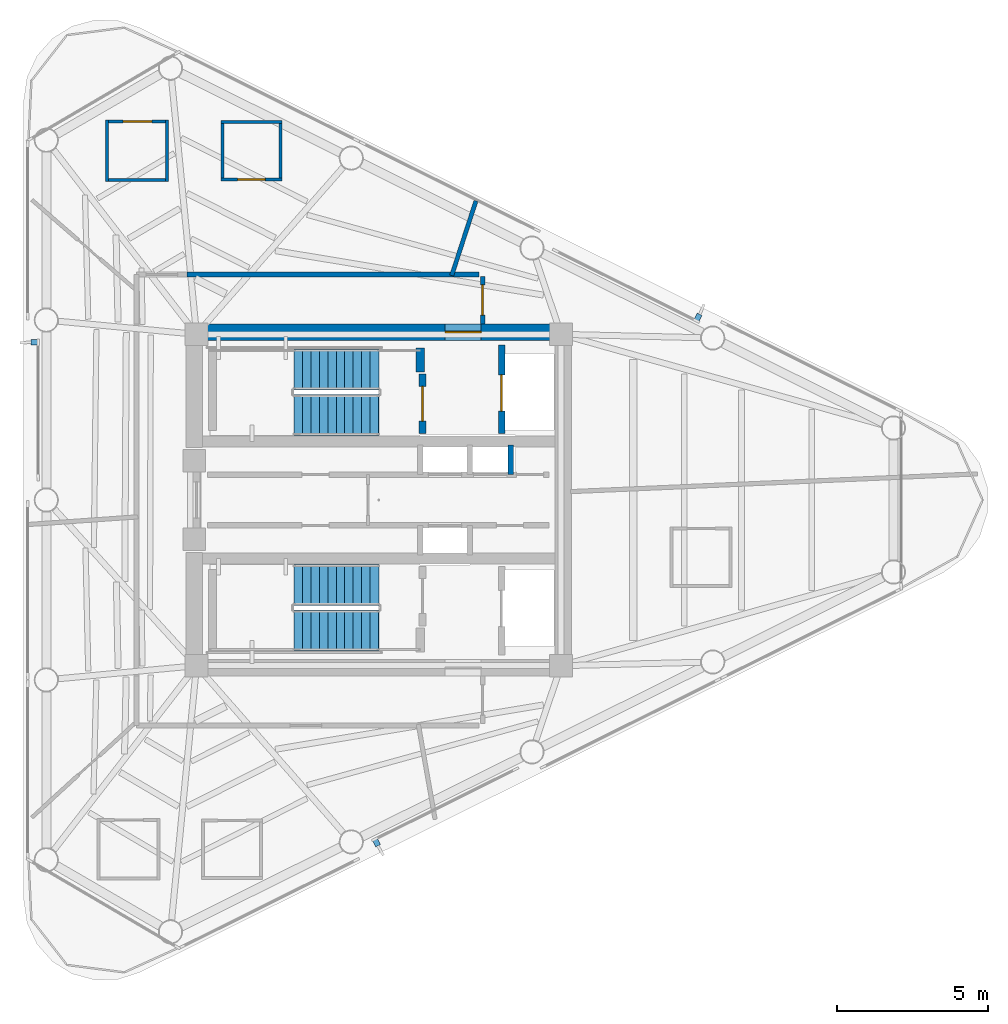
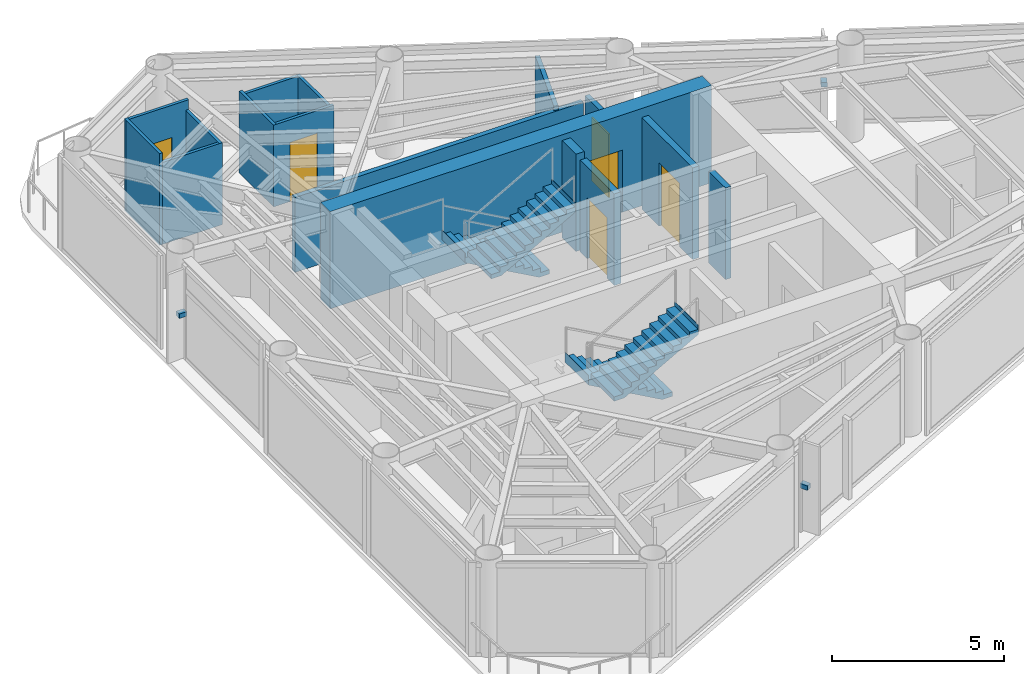
# One storey, part 6 of 10: 16 walls, 6 doors, 4 stair flights, 3 discrete accessories, 6 openings, 2 elements without a shape of their own.
"""IFC4 building model written with IfcOpenShell, lengths in metres."""

import ifcopenshell
import ifcopenshell.guid

model = None  # the IFC model being written
_history = None  # IfcOwnerHistory: only IFC2X3 demands one
_inside = {}  # id of a spatial element -> (the spatial element, [elements in it])
_under = {}  # id of a project, library or spatial element -> (it, [spatial elements below it])
_declared = {}  # id of a project -> (the project, [libraries it declares])
_typed = {}  # id of a type object -> (the type object, [elements of that type])
_made_of = {}  # id of a material, layer set ... -> (it, [elements and type objects made of it])


def new_model(schema):
    """Start an empty IFC model of exactly this schema.

    Asked for "IFC4X3", IfcOpenShell would pick the latest addendum, in which some entities
    have other attributes; the version numbers below select the first issue.
    IFC2X3 requires an IfcOwnerHistory on every rooted entity: one is made here for all.
    """
    global model, _history
    if schema == "IFC4X3":
        model = ifcopenshell.file(schema_version=(4, 3, 0, 0))
    else:
        model = ifcopenshell.file(schema=schema)
    _inside.clear()
    _under.clear()
    _declared.clear()
    _typed.clear()
    _made_of.clear()
    _history = None
    if model.schema == "IFC2X3":
        org = make("IfcOrganization", Name="unknown")
        user = make(
            "IfcPersonAndOrganization",
            ThePerson=make("IfcPerson", FamilyName="unknown"),
            TheOrganization=org,
        )
        app = make(
            "IfcApplication",
            ApplicationDeveloper=org,
            Version="unknown",
            ApplicationFullName="unknown",
            ApplicationIdentifier="unknown",
        )
        _history = make(
            "IfcOwnerHistory",
            OwningUser=user,
            OwningApplication=app,
            ChangeAction="ADDED",
            CreationDate=0,
        )
    return model


def make(cls, **values):
    """One entity of the class cls with the attributes given. An attribute that is None is left unset."""
    return model.create_entity(
        cls, **{name: value for name, value in values.items() if value is not None}
    )


def rooted(cls, **values):
    """An entity with a GlobalId (a new one), such as an element, a storey or a relation."""
    return make(cls, GlobalId=ifcopenshell.guid.new(), OwnerHistory=_history, **values)


def si_unit(unit_type, name, prefix=None):
    """IfcSIUnit, for example si_unit("LENGTHUNIT", "METRE", prefix="MILLI")."""
    return make("IfcSIUnit", UnitType=unit_type, Prefix=prefix, Name=name)


def assignment(units):
    """IfcUnitAssignment: the units of a project."""
    return None if units is None else make("IfcUnitAssignment", Units=units)


def point(xyz):
    """IfcCartesianPoint."""
    return None if xyz is None else make("IfcCartesianPoint", Coordinates=xyz)


def direction(xyz):
    """IfcDirection."""
    return None if xyz is None else make("IfcDirection", DirectionRatios=xyz)


def frame(location, z_axis=None, x_axis=None):
    """IfcAxis2Placement3D, a coordinate frame: its origin and axes. An axis left out is left unset."""
    return make(
        "IfcAxis2Placement3D",
        Location=point(location),
        Axis=direction(z_axis),
        RefDirection=direction(x_axis),
    )


def frame_2d(location, x_axis=None):
    """IfcAxis2Placement2D, a coordinate frame in the plane: its origin and x axis."""
    return make(
        "IfcAxis2Placement2D", Location=point(location), RefDirection=direction(x_axis)
    )


def origin():
    """The frame at (0, 0, 0) with its axes left unset."""
    return frame((0.0, 0.0, 0.0))


def origin_2d():
    """The frame at (0, 0) in the plane with its x axis left unset."""
    return frame_2d((0.0, 0.0))


def place(relative_to, where):
    """IfcLocalPlacement: puts the frame where relative to a parent placement (None: the world)."""
    return make(
        "IfcLocalPlacement", PlacementRelTo=relative_to, RelativePlacement=where
    )


def context(
    kind, dimensions, precision=None, world=None, true_north=None, identifier=None
):
    """IfcGeometricRepresentationContext, for example the 3D "Model" context."""
    return make(
        "IfcGeometricRepresentationContext",
        ContextIdentifier=identifier,
        ContextType=kind,
        CoordinateSpaceDimension=dimensions,
        Precision=precision,
        WorldCoordinateSystem=world,
        TrueNorth=true_north,
    )


def subcontext(parent, identifier, kind, view, scale=None):
    """IfcGeometricRepresentationSubContext, for example "Body" below "Model"."""
    return make(
        "IfcGeometricRepresentationSubContext",
        ContextIdentifier=identifier,
        ContextType=kind,
        ParentContext=parent,
        TargetScale=scale,
        TargetView=view,
    )


def project(units=None, contexts=None):
    """IfcProject with its units and contexts."""
    return rooted(
        "IfcProject",
        Name="project",
        RepresentationContexts=contexts,
        UnitsInContext=assignment(units),
    )


def spatial(cls, under=None, at=None, **own):
    """A site, building, storey or space (cls), placed at a placement, below another one or the project."""
    s = rooted(cls, ObjectPlacement=at, **own)
    if under is not None:
        _under.setdefault(under.id(), (under, []))[1].append(s)
    return s


def polyline(points):
    """IfcPolyline through the points."""
    return make("IfcPolyline", Points=[point(p) for p in points])


def profile(cls, at=None, kind="AREA", **sizes):
    """A parametric profile (cls). Its sizes go by their IFC names, for example OverallWidth=200.0."""
    return make(cls, ProfileType=kind, Position=at, **sizes)


def rectangle(**sizes):
    """IfcRectangleProfileDef."""
    return profile("IfcRectangleProfileDef", **sizes)


def outline(outer, holes=None, kind="AREA"):
    """IfcArbitraryClosedProfileDef: a profile drawn as a closed curve; with holes, ...WithVoids."""
    if holes is None:
        return make("IfcArbitraryClosedProfileDef", ProfileType=kind, OuterCurve=outer)
    return make(
        "IfcArbitraryProfileDefWithVoids",
        ProfileType=kind,
        OuterCurve=outer,
        InnerCurves=holes,
    )


def extrude(swept, where, along, depth):
    """IfcExtrudedAreaSolid: the profile swept, set in the frame where, extruded along a direction by depth."""
    return make(
        "IfcExtrudedAreaSolid",
        SweptArea=swept,
        Position=where,
        ExtrudedDirection=direction(along),
        Depth=depth,
    )


def shape(context_of_items, identifier, shape_type, items):
    """IfcShapeRepresentation: the items that make up one representation, for example the "Body"."""
    return make(
        "IfcShapeRepresentation",
        ContextOfItems=context_of_items,
        RepresentationIdentifier=identifier,
        RepresentationType=shape_type,
        Items=items,
    )


def source(mapping_origin, context_of_items, identifier, shape_type, items):
    """IfcRepresentationMap: a shape defined once, which mapped items show again and again."""
    return make(
        "IfcRepresentationMap",
        MappingOrigin=mapping_origin,
        MappedRepresentation=shape(context_of_items, identifier, shape_type, items),
    )


def transform(
    local_origin,
    x_axis=None,
    y_axis=None,
    z_axis=None,
    scale=None,
    scale2=None,
    scale3=None,
    uniform=True,
):
    """IfcCartesianTransformationOperator3D, or its non-uniform kind. x_axis, y_axis, z_axis: its Axis1, 2, 3."""
    if uniform:
        return make(
            "IfcCartesianTransformationOperator3D",
            Axis1=direction(x_axis),
            Axis2=direction(y_axis),
            LocalOrigin=point(local_origin),
            Scale=scale,
            Axis3=direction(z_axis),
        )
    return make(
        "IfcCartesianTransformationOperator3DnonUniform",
        Axis1=direction(x_axis),
        Axis2=direction(y_axis),
        LocalOrigin=point(local_origin),
        Scale=scale,
        Axis3=direction(z_axis),
        Scale2=scale2,
        Scale3=scale3,
    )


def mapped(mapping_source, mapping_target):
    """IfcMappedItem: shows the shape of a source again, moved by a transform."""
    return make(
        "IfcMappedItem", MappingSource=mapping_source, MappingTarget=mapping_target
    )


def material(Name=None, Category=None):
    """IfcMaterial."""
    return make("IfcMaterial", Name=Name, Category=Category)


def layer(
    of_material, thickness, ventilated=None, Name=None, Category=None, Priority=None
):
    """IfcMaterialLayer: one layer of a wall or slab, of a material (None: an air gap)."""
    return make(
        "IfcMaterialLayer",
        Material=of_material,
        LayerThickness=thickness,
        IsVentilated=ventilated,
        Name=Name,
        Category=Category,
        Priority=Priority,
    )


def layer_set(layers, Name=None):
    """IfcMaterialLayerSet."""
    return make("IfcMaterialLayerSet", MaterialLayers=layers, LayerSetName=Name)


def made_of(thing, what):
    """Note that an element or type object is made of a material, layer set ...; save() writes the relation."""
    if what is not None:
        _made_of.setdefault(what.id(), (what, []))[1].append(thing)
    return thing


def type_object(cls, material=None, **own):
    """A type object (cls), such as IfcWallType, which elements share."""
    return made_of(rooted(cls, **own), material)


def element(
    cls,
    number,
    at=None,
    inside=None,
    cuts=None,
    type_object=None,
    material=None,
    context=None,
    identifier="Body",
    shape_type=None,
    held_by="IfcProductDefinitionShape",
    body=None,
    shapes=None,
    **own,
):
    """One element of the class cls, such as IfcWall. Its Tag is "e" and its number.

    at: its placement. inside: the storey or other place that contains it. cuts: it is an
    opening in that element (IfcRelVoidsElement). A single representation is given by context,
    identifier, shape_type and body (its items); several are given by shapes. held_by: the class
    of the entity that holds the representations. save() writes the other relations.
    """
    e = rooted(cls, Tag="e%d" % number, ObjectPlacement=at, **own)
    if body is not None:
        shapes = [shape(context, identifier, shape_type, body)]
    if shapes is not None:
        e.Representation = make(held_by, Representations=shapes)
    if inside is not None:
        _inside.setdefault(inside.id(), (inside, []))[1].append(e)
    if cuts is not None:
        rooted(
            "IfcRelVoidsElement", RelatingBuildingElement=cuts, RelatedOpeningElement=e
        )
    if type_object is not None:
        _typed.setdefault(type_object.id(), (type_object, []))[1].append(e)
    return made_of(e, material)


def fill(opening, filler):
    """IfcRelFillsElement: the door or window that sits in an opening."""
    return rooted(
        "IfcRelFillsElement",
        RelatingOpeningElement=opening,
        RelatedBuildingElement=filler,
    )


def aggregate(whole, parts):
    """IfcRelAggregates: a whole, such as a stair, and the parts it consists of."""
    return rooted("IfcRelAggregates", RelatingObject=whole, RelatedObjects=parts)


def save(model, path):
    """Write the relations noted so far, then the file.

    IfcRelAggregates (storeys below a building ...), IfcRelContainedInSpatialStructure (elements
    in a storey), IfcRelDefinesByType, IfcRelAssociatesMaterial and IfcRelDeclares: one each for
    every whole, place, type object, material and project.
    """
    for whole, parts in _under.values():
        aggregate(whole, parts)
    for where, things in _inside.values():
        rooted(
            "IfcRelContainedInSpatialStructure",
            RelatedElements=things,
            RelatingStructure=where,
        )
    for kind, things in _typed.values():
        rooted("IfcRelDefinesByType", RelatedObjects=things, RelatingType=kind)
    for what, things in _made_of.values():
        rooted("IfcRelAssociatesMaterial", RelatedObjects=things, RelatingMaterial=what)
    for by, libraries in _declared.values():
        rooted("IfcRelDeclares", RelatingContext=by, RelatedDefinitions=libraries)
    model.write(path)


model = new_model("IFC4")

# Units and contexts
model_context = context("Model", 3, precision=1e-05, world=origin(), true_north=direction((0.0, 1.0)))
body_context = subcontext(model_context, "Body", "Model", "MODEL_VIEW")
ifc_project = project(units=[si_unit("LENGTHUNIT", "METRE"), si_unit("AREAUNIT", "SQUARE_METRE"), si_unit("VOLUMEUNIT", "CUBIC_METRE"), si_unit("PLANEANGLEUNIT", "RADIAN"), si_unit("MASSUNIT", "GRAM", prefix="KILO")], contexts=[model_context])

# Site, building, storey
site_placement = place(None, origin())
site = spatial("IfcSite", under=ifc_project, at=site_placement, CompositionType="ELEMENT")
building_placement = place(site_placement, origin())
building = spatial("IfcBuilding", under=site, at=building_placement, Name="Yunling Apex Tower", CompositionType="ELEMENT")
storey_placement = place(building_placement, frame((0.0, 0.0, 303.64990234375)))
storey = spatial("IfcBuildingStorey", under=building, at=storey_placement, Name="L74", CompositionType="ELEMENT", Elevation=303.64990234375)

# Wall, opening, door
ifc_material_1 = material(Name="Concrete C40", Category="concrete")
ifc_layer_1 = layer(ifc_material_1, 0.550048828125)
ifc_layer_set_1 = layer_set([ifc_layer_1], Name="Concrete C40")
wall_type_1 = type_object("IfcWallType", Name="WL-COR-3", PredefinedType="SHEAR", material=ifc_layer_set_1)
wall_1_placement = place(storey_placement, frame((-6.39990234375, 5.574951171875, 0.0), z_axis=(0.0, 0.0, 1.0), x_axis=(1.0, 0.0, 0.0)))
wall_1 = element("IfcWall", 1, at=wall_1_placement, inside=storey, type_object=wall_type_1, Name="L74 North Core Shear Wall", PredefinedType="SHEAR", context=body_context, shape_type="SweptSolid", body=[
    extrude(rectangle(XDim=12.7998046875, YDim=0.550048828125, at=frame_2d((6.39990234375, 0.0))), origin(), (0.0, 0.0, 1.0), 3.4501953125),
])
opening_1_placement = place(wall_1_placement, frame((8.60009765625, 0.0, 0.0)))
opening_1 = element("IfcOpeningElement", 2, at=opening_1_placement, cuts=wall_1, Name="Opening DR-FFL-1", PredefinedType="OPENING", context=body_context, shape_type="SweptSolid", body=[
    extrude(rectangle(XDim=1.199951171875, YDim=2.199951171875, at=frame_2d((0.60009765625, 1.10009765625))), frame((0.0, 0.28515625, 0.0), z_axis=(0.0, -1.0, 0.0), x_axis=(1.0, 0.0, 0.0)), (0.0, 0.0, 1.0), 0.570068359375),
])
ifc_material_2 = material(Name="Steel Q355B", Category="steel")
door_type_1 = type_object("IfcDoorType", Name="DR-FFL-1", OperationType="NOTDEFINED", PredefinedType="DOOR", material=ifc_material_2)
door_1_placement = place(opening_1_placement, origin())
door_1 = element("IfcDoor", 3, at=door_1_placement, inside=storey, type_object=door_type_1, Name="L74 North Firefighting Lobby Door", OperationType="SINGLE_SWING_LEFT", OverallHeight=2.199951171875, OverallWidth=1.199951171875, PredefinedType="DOOR", context=body_context, shape_type="SweptSolid", body=[
    extrude(rectangle(XDim=1.199951171875, YDim=2.199951171875, at=frame_2d((0.60009765625, 1.10009765625))), frame((0.0, 0.02490234375, 0.0), z_axis=(0.0, -1.0, 0.0), x_axis=(1.0, 0.0, 0.0)), (0.0, 0.0, 1.0), 0.050048828125),
])
fill(opening_1, door_1)

# Walls
ifc_layer_2 = layer(ifc_material_1, 0.280029296875)
ifc_layer_set_2 = layer_set([ifc_layer_2], Name="Concrete C40")
wall_type_2 = type_object("IfcWallType", Name="WL-COR-8", PredefinedType="SHEAR", material=ifc_layer_set_2)
wall_2_placement = place(storey_placement, frame((1.3798828125, 4.25, 0.0), z_axis=(0.0, 0.0, 1.0), x_axis=(0.0, 1.0, 0.0)))
element("IfcWall", 4, at=wall_2_placement, inside=storey, type_object=wall_type_2, Name="L74 ST-1 East Landing Bearing Pier", PredefinedType="SHEAR", context=body_context, shape_type="SweptSolid", body=[
    extrude(rectangle(XDim=0.800048828125, YDim=0.280029296875, at=frame_2d((0.39990234375, 0.0))), origin(), (0.0, 0.0, 1.0), 3.4501953125),
])
ifc_material_3 = material(Name="Gypsum board acoustic partition")
ifc_layer_3 = layer(ifc_material_3, 0.159912109375)
ifc_layer_set_3 = layer_set([ifc_layer_3], Name="Gypsum board acoustic partition")
wall_type_3 = type_object("IfcWallType", Name="WL-PRT-1", PredefinedType="PARTITIONING", material=ifc_layer_set_3)
wall_3_placement = place(storey_placement, frame((-6.360107421875, 7.489990234375, 0.0), z_axis=(0.0, 0.0, 1.0), x_axis=(1.0, 0.0, 0.0)))
element("IfcWall", 5, at=wall_3_placement, inside=storey, type_object=wall_type_3, Name="WL-CORR-L74-03", PredefinedType="PARTITIONING", context=body_context, shape_type="SweptSolid", body=[
    extrude(rectangle(XDim=9.67919921875, YDim=0.159912109375, at=frame_2d((4.839599609375, 0.0))), origin(), (0.0, 0.0, 1.0), 2.655029296875),
])

# Wall, opening, door
wall_4_placement = place(storey_placement, frame((3.449951171875, 7.4248046875, 0.0), z_axis=(0.0, 0.0, 1.0), x_axis=(0.0, -1.0, 0.0)))
wall_4 = element("IfcWall", 6, at=wall_4_placement, inside=storey, type_object=wall_type_3, Name="WL-CORR-L74-04", PredefinedType="PARTITIONING", context=body_context, shape_type="SweptSolid", body=[
    extrude(rectangle(XDim=1.57470703125, YDim=0.159912109375, at=frame_2d((0.787353515625, 0.0))), origin(), (0.0, 0.0, 1.0), 2.85498046875),
])
opening_2_placement = place(wall_4_placement, frame((0.287353515625, 0.0, 0.0)))
opening_2 = element("IfcOpeningElement", 7, at=opening_2_placement, cuts=wall_4, Name="Opening DR-OFF-1", PredefinedType="OPENING", context=body_context, shape_type="SweptSolid", body=[
    extrude(rectangle(XDim=1.0, YDim=2.25, at=frame_2d((0.5, 1.125))), frame((0.0, 0.08984375, 0.0), z_axis=(0.0, -1.0, 0.0), x_axis=(1.0, 0.0, 0.0)), (0.0, 0.0, 1.0), 0.179931640625),
])
ifc_material_4 = material(Name="Bronze anodised aluminium", Category="aluminium")
door_type_2 = type_object("IfcDoorType", Name="DR-OFF-1", OperationType="NOTDEFINED", PredefinedType="DOOR", material=ifc_material_4)
door_2_placement = place(opening_2_placement, origin())
door_2 = element("IfcDoor", 8, at=door_2_placement, inside=storey, type_object=door_type_2, Name="L74 Residents Quiet Study Lounge Door", OperationType="SINGLE_SWING_RIGHT", OverallHeight=2.25, OverallWidth=1.0, PredefinedType="DOOR", context=body_context, shape_type="SweptSolid", body=[
    extrude(rectangle(XDim=1.0, YDim=2.25, at=frame_2d((0.5, 1.125))), frame((0.0, 0.02490234375, 0.0), z_axis=(0.0, -1.0, 0.0), x_axis=(1.0, 0.0, 0.0)), (0.0, 0.0, 1.0), 0.050048828125),
])
fill(opening_2, door_2)

# Walls
ifc_layer_4 = layer(ifc_material_3, 0.139892578125)
ifc_layer_set_4 = layer_set([ifc_layer_4], Name="Gypsum board acoustic partition")
wall_type_4 = type_object("IfcWallType", Name="WL-PRT-2", PredefinedType="PARTITIONING", material=ifc_layer_set_4)
wall_5_placement = place(storey_placement, frame((2.420654296875, 7.449951171875, 0.0), z_axis=(0.0, 0.0, 1.0), x_axis=(0.309047920595, 0.951046467201, 0.0)))
element("IfcWall", 9, at=wall_5_placement, inside=storey, type_object=wall_type_4, Name="WL-RAD-L74-02", PredefinedType="PARTITIONING", context=body_context, shape_type="SweptSolid", body=[
    extrude(rectangle(XDim=2.6044921875, YDim=0.139892578125, at=frame_2d((1.30224609375, 0.0))), origin(), (0.0, 0.0, 1.0), 2.815185546875),
])
ifc_layer_5 = layer(ifc_material_3, 0.10009765625)
ifc_layer_set_5 = layer_set([ifc_layer_5], Name="Gypsum board acoustic partition")
wall_type_5 = type_object("IfcWallType", Name="WL-PRT-4", PredefinedType="PARTITIONING", material=ifc_layer_set_5)
wall_6_placement = place(storey_placement, frame((-5.239013671875, 12.5400390625, 0.0), z_axis=(0.0, 0.0, 1.0), x_axis=(1.0, 0.0, 0.0)))
element("IfcWall", 10, at=wall_6_placement, inside=storey, type_object=wall_type_5, Name="WL-L74-U4BTHN", PredefinedType="PARTITIONING", context=body_context, shape_type="SweptSolid", body=[
    extrude(rectangle(XDim=2.02001953125, YDim=0.10009765625, at=frame_2d((1.010009765625, 0.0))), origin(), (0.0, 0.0, 1.0), 2.815185546875),
])

# Wall, opening, door
wall_7_placement = place(storey_placement, frame((-3.218994140625, 10.639892578125, 0.0), z_axis=(0.0, 0.0, 1.0), x_axis=(-1.0, 0.0, 0.0)))
wall_7 = element("IfcWall", 11, at=wall_7_placement, inside=storey, type_object=wall_type_5, Name="WL-L74-U4BTHS", PredefinedType="PARTITIONING", context=body_context, shape_type="SweptSolid", body=[
    extrude(rectangle(XDim=2.02001953125, YDim=0.10009765625, at=frame_2d((1.010009765625, 0.0))), origin(), (0.0, 0.0, 1.0), 2.905029296875),
])
opening_3_placement = place(wall_7_placement, frame((0.550048828125, 0.0, 0.0)))
opening_3 = element("IfcOpeningElement", 12, at=opening_3_placement, cuts=wall_7, Name="Opening DR-WC-1", PredefinedType="OPENING", context=body_context, shape_type="SweptSolid", body=[
    extrude(rectangle(XDim=0.919921875, YDim=2.10009765625, at=frame_2d((0.4599609375, 1.050048828125))), frame((0.0, 0.06005859375, 0.0), z_axis=(0.0, -1.0, 0.0), x_axis=(1.0, 0.0, 0.0)), (0.0, 0.0, 1.0), 0.1201171875),
])
ifc_material_5 = material(Name="Timber moisture-resistant leaf", Category="wood")
door_type_3 = type_object("IfcDoorType", Name="DR-WC-1", OperationType="NOTDEFINED", PredefinedType="DOOR", material=ifc_material_5)
door_3_placement = place(opening_3_placement, origin())
door_3 = element("IfcDoor", 13, at=door_3_placement, inside=storey, type_object=door_type_3, Name="L74 Unit 4 Bathroom Door", OperationType="SINGLE_SWING_LEFT", OverallHeight=2.10009765625, OverallWidth=0.919921875, PredefinedType="DOOR", context=body_context, shape_type="SweptSolid", body=[
    extrude(rectangle(XDim=0.919921875, YDim=2.10009765625, at=frame_2d((0.4599609375, 1.050048828125))), frame((0.0, 0.02490234375, 0.0), z_axis=(0.0, -1.0, 0.0), x_axis=(1.0, 0.0, 0.0)), (0.0, 0.0, 1.0), 0.050048828125),
])
fill(opening_3, door_3)

# Walls
wall_8_placement = place(storey_placement, frame((-3.26904296875, 12.590087890625, 0.0), z_axis=(0.0, 0.0, 1.0), x_axis=(0.0, -1.0, 0.0)))
element("IfcWall", 14, at=wall_8_placement, inside=storey, type_object=wall_type_5, Name="WL-L74-U4BTHE", PredefinedType="PARTITIONING", context=body_context, shape_type="SweptSolid", body=[
    extrude(rectangle(XDim=2.0, YDim=0.10009765625, at=frame_2d((1.0, 0.0))), origin(), (0.0, 0.0, 1.0), 2.815185546875),
])
wall_9_placement = place(storey_placement, frame((-5.18896484375, 10.590087890625, 0.0), z_axis=(0.0, 0.0, 1.0), x_axis=(0.0, 1.0, 0.0)))
element("IfcWall", 15, at=wall_9_placement, inside=storey, type_object=wall_type_5, Name="WL-L74-U4BTHW", PredefinedType="PARTITIONING", context=body_context, shape_type="SweptSolid", body=[
    extrude(rectangle(XDim=2.0, YDim=0.10009765625, at=frame_2d((1.0, 0.0))), origin(), (0.0, 0.0, 1.0), 2.905029296875),
])

# Wall, opening, door
wall_10_placement = place(storey_placement, frame((-9.074951171875, 12.56494140625, 0.0), z_axis=(0.0, 0.0, 1.0), x_axis=(1.0, 0.0, 0.0)))
wall_10 = element("IfcWall", 16, at=wall_10_placement, inside=storey, type_object=wall_type_5, Name="WL-L74-U4KITN", PredefinedType="PARTITIONING", context=body_context, shape_type="SweptSolid", body=[
    extrude(rectangle(XDim=2.099853515625, YDim=0.10009765625, at=frame_2d((1.0498046875, 0.0))), origin(), (0.0, 0.0, 1.0), 3.25),
])
opening_4_placement = place(wall_10_placement, frame((0.590087890625, 0.0, 0.0)))
opening_4 = element("IfcOpeningElement", 17, at=opening_4_placement, cuts=wall_10, Name="Opening DR-RM-1", PredefinedType="OPENING", context=body_context, shape_type="SweptSolid", body=[
    extrude(rectangle(XDim=0.949951171875, YDim=2.10009765625, at=frame_2d((0.47509765625, 1.050048828125))), frame((0.0, 0.06005859375, 0.0), z_axis=(0.0, -1.0, 0.0), x_axis=(1.0, 0.0, 0.0)), (0.0, 0.0, 1.0), 0.1201171875),
])
ifc_material_6 = material(Name="Timber flush leaf", Category="wood")
door_type_4 = type_object("IfcDoorType", Name="DR-RM-1", OperationType="NOTDEFINED", PredefinedType="DOOR", material=ifc_material_6)
door_4_placement = place(opening_4_placement, origin())
door_4 = element("IfcDoor", 18, at=door_4_placement, inside=storey, type_object=door_type_4, Name="L74 Unit 4 Kitchen Door", OperationType="SINGLE_SWING_RIGHT", OverallHeight=2.10009765625, OverallWidth=0.949951171875, PredefinedType="DOOR", context=body_context, shape_type="SweptSolid", body=[
    extrude(rectangle(XDim=0.949951171875, YDim=2.10009765625, at=frame_2d((0.47509765625, 1.050048828125))), frame((0.0, 0.02490234375, 0.0), z_axis=(0.0, -1.0, 0.0), x_axis=(1.0, 0.0, 0.0)), (0.0, 0.0, 1.0), 0.050048828125),
])
fill(opening_4, door_4)

# Walls
wall_11_placement = place(storey_placement, frame((-6.97509765625, 10.614990234375, 0.0), z_axis=(0.0, 0.0, 1.0), x_axis=(-1.0, 0.0, 0.0)))
element("IfcWall", 19, at=wall_11_placement, inside=storey, type_object=wall_type_5, Name="WL-L74-U4KITS", PredefinedType="PARTITIONING", context=body_context, shape_type="SweptSolid", body=[
    extrude(rectangle(XDim=2.099853515625, YDim=0.10009765625, at=frame_2d((1.0498046875, 0.0))), origin(), (0.0, 0.0, 1.0), 2.905029296875),
])
wall_12_placement = place(storey_placement, frame((-7.02490234375, 12.614990234375, 0.0), z_axis=(0.0, 0.0, 1.0), x_axis=(0.0, -1.0, 0.0)))
element("IfcWall", 20, at=wall_12_placement, inside=storey, type_object=wall_type_5, Name="WL-L74-U4KITE", PredefinedType="PARTITIONING", context=body_context, shape_type="SweptSolid", body=[
    extrude(rectangle(XDim=2.050048828125, YDim=0.10009765625, at=frame_2d((1.02490234375, 0.0))), origin(), (0.0, 0.0, 1.0), 2.905029296875),
])
wall_13_placement = place(storey_placement, frame((-9.02490234375, 10.56494140625, 0.0), z_axis=(0.0, 0.0, 1.0), x_axis=(0.0, 1.0, 0.0)))
element("IfcWall", 21, at=wall_13_placement, inside=storey, type_object=wall_type_5, Name="WL-L74-U4KITW", PredefinedType="PARTITIONING", context=body_context, shape_type="SweptSolid", body=[
    extrude(rectangle(XDim=2.050048828125, YDim=0.10009765625, at=frame_2d((1.02490234375, 0.0))), origin(), (0.0, 0.0, 1.0), 3.25),
])

# Wall, opening, door
ifc_material_7 = material(Name="Autoclaved aerated concrete masonry", Category="masonry")
ifc_layer_6 = layer(ifc_material_7, 0.219970703125)
ifc_layer_set_6 = layer_set([ifc_layer_6], Name="Autoclaved aerated concrete masonry")
wall_type_6 = type_object("IfcWallType", Name="WL-SHF-1", PredefinedType="PLUMBINGWALL", material=ifc_layer_set_6)
wall_14_placement = place(storey_placement, frame((1.449951171875, 2.199951171875, 0.0), z_axis=(0.0, 0.0, 1.0), x_axis=(0.0, 1.0, 0.0)))
wall_14 = element("IfcWall", 22, at=wall_14_placement, inside=storey, type_object=wall_type_6, Name="WL-ST1-E-L74", PredefinedType="PLUMBINGWALL", context=body_context, shape_type="SweptSolid", body=[
    extrude(rectangle(XDim=1.97998046875, YDim=0.219970703125, at=frame_2d((0.989990234375, 0.0))), origin(), (0.0, 0.0, 1.0), 3.25),
])
opening_5_placement = place(wall_14_placement, frame((0.419921875, 0.0, 0.0)))
opening_5 = element("IfcOpeningElement", 23, at=opening_5_placement, cuts=wall_14, Name="Opening DR-ST-1", PredefinedType="OPENING", context=body_context, shape_type="SweptSolid", body=[
    extrude(rectangle(XDim=1.14990234375, YDim=2.14990234375, at=frame_2d((0.574951171875, 1.074951171875))), frame((0.0, 0.1201171875, 0.0), z_axis=(0.0, -1.0, 0.0), x_axis=(1.0, 0.0, 0.0)), (0.0, 0.0, 1.0), 0.239990234375),
])
door_type_5 = type_object("IfcDoorType", Name="DR-ST-1", OperationType="NOTDEFINED", PredefinedType="DOOR", material=ifc_material_2)
door_5_placement = place(opening_5_placement, origin())
door_5 = element("IfcDoor", 24, at=door_5_placement, inside=storey, type_object=door_type_5, Name="L74 Stair ST-1 Fire Door", OperationType="SINGLE_SWING_LEFT", OverallHeight=2.14990234375, OverallWidth=1.14990234375, PredefinedType="DOOR", context=body_context, shape_type="SweptSolid", body=[
    extrude(rectangle(XDim=1.14990234375, YDim=2.14990234375, at=frame_2d((0.574951171875, 1.074951171875))), frame((0.0, 0.02490234375, 0.0), z_axis=(0.0, -1.0, 0.0), x_axis=(1.0, 0.0, 0.0)), (0.0, 0.0, 1.0), 0.050048828125),
])
fill(opening_5, door_5)

wall_15_placement = place(storey_placement, frame((4.080078125, 2.199951171875, 0.0), z_axis=(0.0, 0.0, 1.0), x_axis=(0.0, 1.0, 0.0)))
wall_15 = element("IfcWall", 25, at=wall_15_placement, inside=storey, type_object=wall_type_6, Name="WL-FFL1-W-L74", PredefinedType="PLUMBINGWALL", context=body_context, shape_type="SweptSolid", body=[
    extrude(rectangle(XDim=2.949951171875, YDim=0.219970703125, at=frame_2d((1.47509765625, 0.0))), origin(), (0.0, 0.0, 1.0), 3.25),
])
opening_6_placement = place(wall_15_placement, frame((0.75, 0.0, 0.0)))
opening_6 = element("IfcOpeningElement", 26, at=opening_6_placement, cuts=wall_15, Name="Opening LD-FFL-1", PredefinedType="OPENING", context=body_context, shape_type="SweptSolid", body=[
    extrude(rectangle(XDim=1.199951171875, YDim=2.25, at=frame_2d((0.60009765625, 1.125))), frame((0.0, 0.1201171875, 0.0), z_axis=(0.0, -1.0, 0.0), x_axis=(1.0, 0.0, 0.0)), (0.0, 0.0, 1.0), 0.239990234375),
])
door_type_6 = type_object("IfcDoorType", Name="LD-FFL-1", OperationType="DOUBLE_DOOR_SLIDING", PredefinedType="DOOR", material=ifc_material_2)
door_6_placement = place(opening_6_placement, origin())
door_6 = element("IfcDoor", 27, at=door_6_placement, inside=storey, type_object=door_type_6, Name="L74 Lift FFL-1 Landing Door", OperationType="DOUBLE_DOOR_SLIDING", OverallHeight=2.25, OverallWidth=1.199951171875, PredefinedType="DOOR", context=body_context, shape_type="SweptSolid", body=[
    extrude(rectangle(XDim=1.199951171875, YDim=2.25, at=frame_2d((0.60009765625, 1.125))), frame((0.0, 0.02490234375, 0.0), z_axis=(0.0, -1.0, 0.0), x_axis=(1.0, 0.0, 0.0)), (0.0, 0.0, 1.0), 0.050048828125),
])
fill(opening_6, door_6)

# Wall
ifc_layer_7 = layer(ifc_material_7, 0.179931640625)
ifc_layer_set_7 = layer_set([ifc_layer_7], Name="Autoclaved aerated concrete masonry")
wall_type_7 = type_object("IfcWallType", Name="WL-SHF-2", PredefinedType="PLUMBINGWALL", material=ifc_layer_set_7)
wall_16_placement = place(storey_placement, frame((4.3798828125, 0.840087890625, 0.0), z_axis=(0.0, 0.0, 1.0), x_axis=(0.0, 1.0, 0.0)))
element("IfcWall", 28, at=wall_16_placement, inside=storey, type_object=wall_type_7, Name="WL-END-H3E-L74", PredefinedType="PLUMBINGWALL", context=body_context, shape_type="SweptSolid", body=[
    extrude(rectangle(XDim=0.97998046875, YDim=0.179931640625, at=frame_2d((0.489990234375, 0.0))), origin(), (0.0, 0.0, 1.0), 3.25),
])

# Stair, stair flights
stair_type = type_object("IfcStairType", Name="ST-TWR-3", PredefinedType="HALF_TURN_STAIR", material=ifc_material_1)
stair_1_placement = place(storey_placement, origin())
stair_1 = element("IfcStair", 29, at=stair_1_placement, inside=storey, type_object=stair_type, Name="L74 North Core Smokeproof Exit Stair ST-1", PredefinedType="HALF_TURN_STAIR")
stair_flight_type = type_object("IfcStairFlightType", Name="SFL-TWR-3", PredefinedType="STRAIGHT", material=ifc_material_1)
stair_flight_1_placement = place(storey_placement, frame((-0.010009765625, 4.330078125, 0.0), z_axis=(0.0, 0.0, 1.0), x_axis=(-1.0, 0.0, 0.0)))
stair_flight_1 = element("IfcStairFlight", 30, at=stair_flight_1_placement, type_object=stair_flight_type, Name="ST-1 flight 1", NumberOfRisers=11, NumberOfTreads=10, PredefinedType="STRAIGHT", RiserHeight=0.156818182, TreadLength=0.28, context=body_context, shape_type="SweptSolid", body=[
    extrude(outline(polyline([(-0.011962890625, 0.0), (-0.011962890625, 0.15673828125), (0.0, 0.15673828125), (0.280029296875, 0.15673828125), (0.280029296875, 0.313720703125), (0.56005859375, 0.313720703125), (0.56005859375, 0.470458984375), (0.840087890625, 0.470458984375), (0.840087890625, 0.627197265625), (1.1201171875, 0.627197265625), (1.1201171875, 0.7841796875), (1.39990234375, 0.7841796875), (1.39990234375, 0.94091796875), (1.679931640625, 0.94091796875), (1.679931640625, 1.09765625), (1.9599609375, 1.09765625), (1.9599609375, 1.254638671875), (2.239990234375, 1.254638671875), (2.239990234375, 1.411376953125), (2.52001953125, 1.411376953125), (2.52001953125, 1.568115234375), (2.800048828125, 1.568115234375), (2.800048828125, 1.72509765625), (2.81201171875, 1.72509765625), (2.81201171875, 1.385009765625), (0.3271484375, 0.0), (-0.011962890625, 0.0)])), frame((0.0, 0.68017578125, 0.0), z_axis=(0.0, -1.0, 0.0), x_axis=(1.0, 0.0, 0.0)), (0.0, 0.0, 1.0), 1.360107421875),
])
stair_flight_2_placement = place(storey_placement, frame((-2.81005859375, 2.820068359375, 1.72509765625), z_axis=(0.0, 0.0, 1.0), x_axis=(1.0, 0.0, 0.0)))
stair_flight_2 = element("IfcStairFlight", 31, at=stair_flight_2_placement, type_object=stair_flight_type, Name="ST-1 flight 2", NumberOfRisers=11, NumberOfTreads=10, PredefinedType="STRAIGHT", RiserHeight=0.156818182, TreadLength=0.28, context=body_context, shape_type="SweptSolid", body=[
    extrude(outline(polyline([(-0.011962890625, 0.0), (-0.011962890625, 0.15673828125), (0.0, 0.15673828125), (0.280029296875, 0.15673828125), (0.280029296875, 0.313720703125), (0.56005859375, 0.313720703125), (0.56005859375, 0.470458984375), (0.840087890625, 0.470458984375), (0.840087890625, 0.627197265625), (1.1201171875, 0.627197265625), (1.1201171875, 0.7841796875), (1.39990234375, 0.7841796875), (1.39990234375, 0.94091796875), (1.679931640625, 0.94091796875), (1.679931640625, 1.09765625), (1.9599609375, 1.09765625), (1.9599609375, 1.254638671875), (2.239990234375, 1.254638671875), (2.239990234375, 1.411376953125), (2.52001953125, 1.411376953125), (2.52001953125, 1.568115234375), (2.800048828125, 1.568115234375), (2.800048828125, 1.72509765625), (2.81201171875, 1.72509765625), (2.81201171875, 1.385009765625), (0.3271484375, 0.0), (-0.011962890625, 0.0)])), frame((0.0, 0.68017578125, 0.0), z_axis=(0.0, -1.0, 0.0), x_axis=(1.0, 0.0, 0.0)), (0.0, 0.0, 1.0), 1.360107421875),
])
aggregate(stair_1, [stair_flight_1, stair_flight_2])

stair_2_placement = place(storey_placement, origin())
stair_2 = element("IfcStair", 32, at=stair_2_placement, inside=storey, type_object=stair_type, Name="L74 South Core Smokeproof Exit Stair ST-2", PredefinedType="HALF_TURN_STAIR")
stair_flight_3_placement = place(storey_placement, frame((-0.010009765625, -2.820068359375, 0.0), z_axis=(0.0, 0.0, 1.0), x_axis=(-1.0, 0.0, 0.0)))
stair_flight_3 = element("IfcStairFlight", 33, at=stair_flight_3_placement, type_object=stair_flight_type, Name="ST-2 flight 1", NumberOfRisers=11, NumberOfTreads=10, PredefinedType="STRAIGHT", RiserHeight=0.156818182, TreadLength=0.28, context=body_context, shape_type="SweptSolid", body=[
    extrude(outline(polyline([(-0.011962890625, 0.0), (-0.011962890625, 0.15673828125), (0.0, 0.15673828125), (0.280029296875, 0.15673828125), (0.280029296875, 0.313720703125), (0.56005859375, 0.313720703125), (0.56005859375, 0.470458984375), (0.840087890625, 0.470458984375), (0.840087890625, 0.627197265625), (1.1201171875, 0.627197265625), (1.1201171875, 0.7841796875), (1.39990234375, 0.7841796875), (1.39990234375, 0.94091796875), (1.679931640625, 0.94091796875), (1.679931640625, 1.09765625), (1.9599609375, 1.09765625), (1.9599609375, 1.254638671875), (2.239990234375, 1.254638671875), (2.239990234375, 1.411376953125), (2.52001953125, 1.411376953125), (2.52001953125, 1.568115234375), (2.800048828125, 1.568115234375), (2.800048828125, 1.72509765625), (2.81201171875, 1.72509765625), (2.81201171875, 1.385009765625), (0.3271484375, 0.0), (-0.011962890625, 0.0)])), frame((0.0, 0.68017578125, 0.0), z_axis=(0.0, -1.0, 0.0), x_axis=(1.0, 0.0, 0.0)), (0.0, 0.0, 1.0), 1.360107421875),
])
stair_flight_4_placement = place(storey_placement, frame((-2.81005859375, -4.330078125, 1.72509765625), z_axis=(0.0, 0.0, 1.0), x_axis=(1.0, 0.0, 0.0)))
stair_flight_4 = element("IfcStairFlight", 34, at=stair_flight_4_placement, type_object=stair_flight_type, Name="ST-2 flight 2", NumberOfRisers=11, NumberOfTreads=10, PredefinedType="STRAIGHT", RiserHeight=0.156818182, TreadLength=0.28, context=body_context, shape_type="SweptSolid", body=[
    extrude(outline(polyline([(-0.011962890625, 0.0), (-0.011962890625, 0.15673828125), (0.0, 0.15673828125), (0.280029296875, 0.15673828125), (0.280029296875, 0.313720703125), (0.56005859375, 0.313720703125), (0.56005859375, 0.470458984375), (0.840087890625, 0.470458984375), (0.840087890625, 0.627197265625), (1.1201171875, 0.627197265625), (1.1201171875, 0.7841796875), (1.39990234375, 0.7841796875), (1.39990234375, 0.94091796875), (1.679931640625, 0.94091796875), (1.679931640625, 1.09765625), (1.9599609375, 1.09765625), (1.9599609375, 1.254638671875), (2.239990234375, 1.254638671875), (2.239990234375, 1.411376953125), (2.52001953125, 1.411376953125), (2.52001953125, 1.568115234375), (2.800048828125, 1.568115234375), (2.800048828125, 1.72509765625), (2.81201171875, 1.72509765625), (2.81201171875, 1.385009765625), (0.3271484375, 0.0), (-0.011962890625, 0.0)])), frame((0.0, 0.68017578125, 0.0), z_axis=(0.0, -1.0, 0.0), x_axis=(1.0, 0.0, 0.0)), (0.0, 0.0, 1.0), 1.360107421875),
])
aggregate(stair_2, [stair_flight_3, stair_flight_4])

# Discrete accessories
discrete_accessory_type = type_object("IfcDiscreteAccessoryType", Name="BK-FIN-1", PredefinedType="BRACKET", material=ifc_material_2)
shared_shape = source(origin(), body_context, "Body", "SweptSolid", [
    extrude(rectangle(XDim=0.179931640625, YDim=0.260009765625, at=origin_2d()), origin(), (0.0, 0.0, 1.0), 0.159912109375),
])
for number, where, z_axis, x_axis, name in (
    (35, (-0.08203125, -11.361083984375, 1.55517578125), (0.0, 0.0, 1.0), (0.895245648325, 0.445572922377, 0.0), "CW-L74-F1-B2-BRK-01-1"),
    (36, (10.59326171875, 6.047607421875, 1.55517578125), (0.0, 0.0, 1.0), (-0.895245648325, 0.445572922377, 0.0), "CW-L74-F2-B2-BRK-01-1"),
    (37, (-11.417236328125, 5.232666015625, 1.55517578125), (0.0, 0.0, 1.0), (0.0, -1.0, 0.0), "CW-L74-F3-B2-BRK-01-1"),
):
    element("IfcDiscreteAccessory", number, at=place(storey_placement, frame(where, z_axis=z_axis, x_axis=x_axis)), inside=storey, type_object=discrete_accessory_type, Name=name, PredefinedType="BRACKET", context=body_context, shape_type="MappedRepresentation", body=[
        mapped(shared_shape, transform((0.0, 0.0, 0.0), scale=1.0)),
    ])

save(model, "model.ifc")
